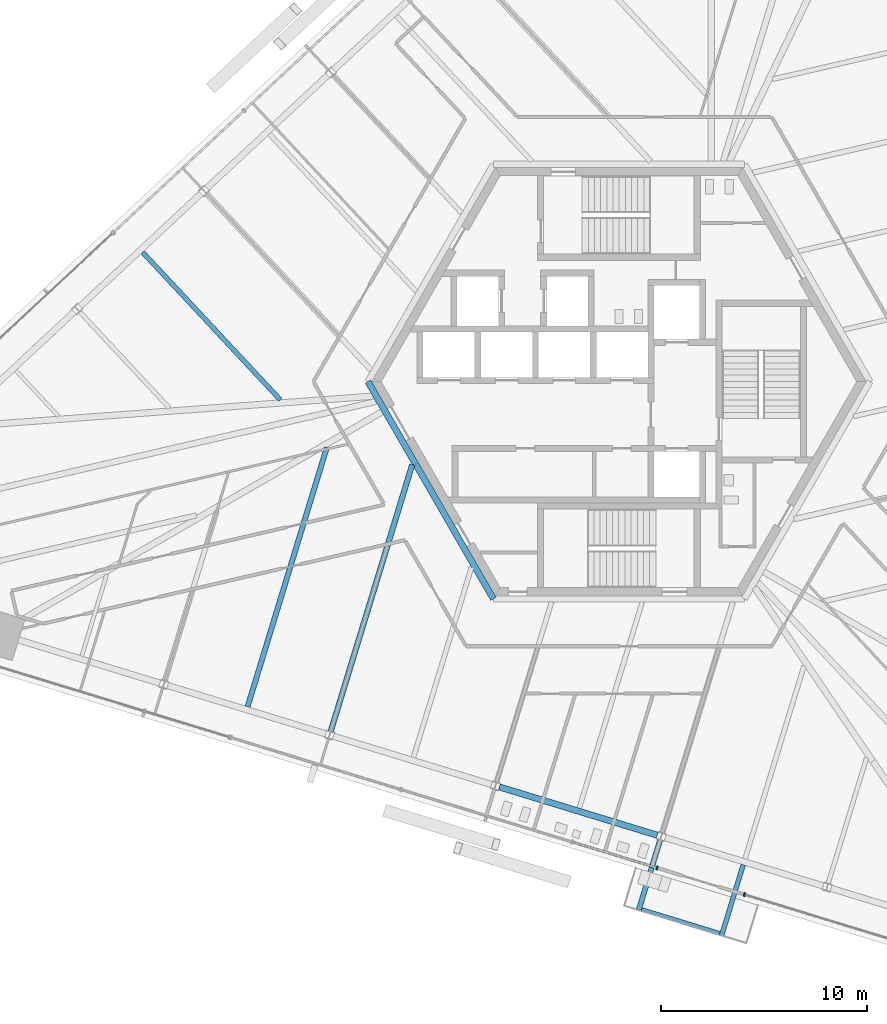
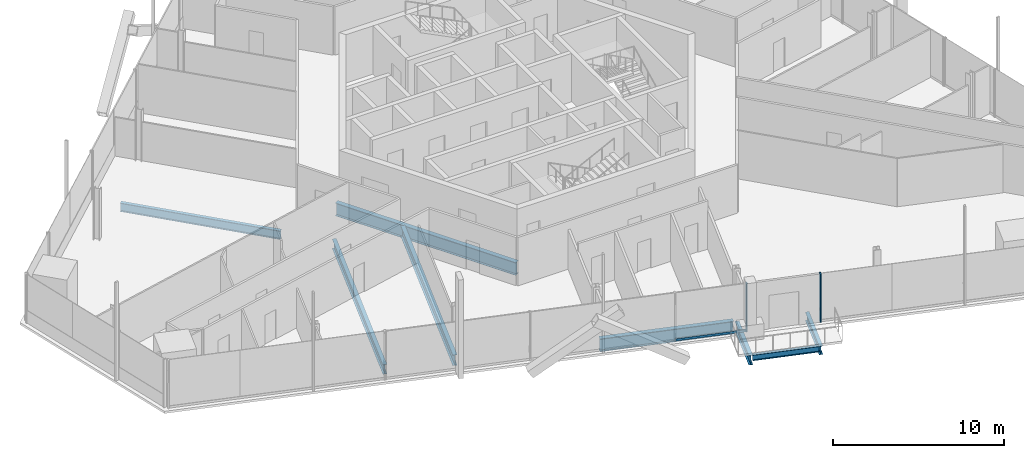
# One storey, part 5 of 24: 8 beams, 3 members, 2 elements without a shape of their own.
"""IFC4 building model written with IfcOpenShell, lengths in metres."""

from ifc_helpers import new_model, si_unit, direction, frame, origin, origin_2d, place, context, subcontext, project, spatial, rectangle, i_section, extrude, source, transform, mapped, material, material_profile, profile_set, type_object, element, aggregate, save


model = new_model("IFC4")

# Units and contexts
model_context = context("Model", 3, precision=1e-05, world=origin(), true_north=direction((0.0, 1.0)))
body_context = subcontext(model_context, "Body", "Model", "MODEL_VIEW")
ifc_project = project(units=[si_unit("LENGTHUNIT", "METRE"), si_unit("AREAUNIT", "SQUARE_METRE"), si_unit("VOLUMEUNIT", "CUBIC_METRE"), si_unit("PLANEANGLEUNIT", "RADIAN"), si_unit("MASSUNIT", "GRAM", prefix="KILO")], contexts=[model_context])

# Site, building, storey
site_placement = place(None, origin())
site = spatial("IfcSite", under=ifc_project, at=site_placement, CompositionType="ELEMENT")
building_placement = place(site_placement, origin())
building = spatial("IfcBuilding", under=site, at=building_placement, Name="Triune Harvest Tower", CompositionType="ELEMENT")
storey_placement = place(building_placement, frame((0.0, 0.0, 112.699951171875)))
storey = spatial("IfcBuildingStorey", under=building, at=storey_placement, Name="L28", CompositionType="ELEMENT", Elevation=112.699951171875)

# Beams
ifc_material_1 = material(Name="Steel ASTM A992 Gr 50", Category="steel")
ifc_material_profile_1 = material_profile(ifc_material_1, i_section(OverallWidth=0.180908203125, OverallDepth=0.41650390625, WebThickness=0.010986328125, FlangeThickness=0.01806640625, at=origin_2d()), Name="W16x57")
ifc_profile_set_1 = profile_set([ifc_material_profile_1], Name="Steel ASTM A992 Gr 50")
beam_type_1 = type_object("IfcBeamType", Name="BE-1 balcony edge beam W16x57", PredefinedType="BEAM", material=ifc_profile_set_1)
beam_1_placement = place(storey_placement, frame((1.102783203125, -25.6064453125, -0.3681640625), z_axis=(0.956313811146, -0.292342084914, 0.0), x_axis=(0.292342084914, 0.956313811146, 0.0)))
element("IfcBeam", 1, at=beam_1_placement, inside=storey, type_object=beam_type_1, Name="Balcony edge beam B3-F5 L28.9", PredefinedType="BEAM", context=body_context, shape_type="SweptSolid", body=[
    extrude(i_section(OverallWidth=0.180908203125, OverallDepth=0.41650390625, WebThickness=0.010986328125, FlangeThickness=0.01806640625, at=origin_2d()), origin(), (0.0, 0.0, 1.0), 3.966064453125),
])
ifc_material_2 = material(Name="Steel ASTM A992 Gr 50", Category="steel")
ifc_material_profile_2 = material_profile(ifc_material_2, i_section(OverallWidth=0.3046875, OverallDepth=0.914306640625, WebThickness=0.0166015625, FlangeThickness=0.02587890625, at=origin_2d()), Name="W36x160")
ifc_profile_set_2 = profile_set([ifc_material_profile_2], Name="Steel ASTM A992 Gr 50")
beam_type_2 = type_object("IfcBeamType", Name="CG-1 Core ring girder W36x160", PredefinedType="BEAM", material=ifc_profile_set_2)
shared_shape_1 = source(origin(), body_context, "Body", "SweptSolid", [
    extrude(i_section(OverallWidth=0.3046875, OverallDepth=0.914306640625, WebThickness=0.0166015625, FlangeThickness=0.02587890625, at=origin_2d()), origin(), (0.0, 0.0, 1.0), 12.176025390625),
])
beam_2_placement = place(storey_placement, frame((-12.176025390625, 0.0, -0.6171875), z_axis=(0.5000099932, -0.866019634131, 0.0), x_axis=(0.866019634131, 0.5000099932, 0.0)))
element("IfcBeam", 2, at=beam_2_placement, inside=storey, type_object=beam_type_2, Name="beam/L28/CG4", PredefinedType="BEAM", context=body_context, shape_type="MappedRepresentation", body=[
    mapped(shared_shape_1, transform((0.0, 0.0, 0.0), scale=1.0)),
])
ifc_material_3 = material(Name="Steel ASTM A992 Gr 50", Category="steel")
ifc_material_profile_3 = material_profile(ifc_material_3, i_section(OverallWidth=0.3046875, OverallDepth=0.914306640625, WebThickness=0.0166015625, FlangeThickness=0.02587890625, at=origin_2d()), Name="W36x160")
ifc_profile_set_3 = profile_set([ifc_material_profile_3], Name="Steel ASTM A992 Gr 50")
beam_type_3 = type_object("IfcBeamType", Name="SB-1 Spandrel beam W36x160", PredefinedType="SPANDREL", material=ifc_profile_set_3)
shared_shape_2 = source(origin(), body_context, "Body", "SweptSolid", [
    extrude(i_section(OverallWidth=0.3046875, OverallDepth=0.914306640625, WebThickness=0.0166015625, FlangeThickness=0.02587890625, at=origin_2d()), origin(), (0.0, 0.0, 1.0), 8.018310546875),
])
beam_3_placement = place(storey_placement, frame((-5.805908203125, -19.66748046875, -0.6171875), z_axis=(0.956308069579, -0.292360866152, 0.0), x_axis=(0.292360866152, 0.956308069579, 0.0)))
element("IfcBeam", 3, at=beam_3_placement, inside=storey, type_object=beam_type_3, Name="beam/L28/SB20", PredefinedType="SPANDREL", context=body_context, shape_type="MappedRepresentation", body=[
    mapped(shared_shape_2, transform((0.0, 0.0, 0.0), scale=1.0)),
])
ifc_material_4 = material(Name="Steel ASTM A992 Gr 50", Category="steel")
ifc_material_profile_4 = material_profile(ifc_material_4, i_section(OverallWidth=0.22900390625, OverallDepth=0.612060546875, WebThickness=0.011962890625, FlangeThickness=0.01953125, at=origin_2d()), Name="W24x84")
ifc_profile_set_4 = profile_set([ifc_material_profile_4], Name="Steel ASTM A992 Gr 50")
beam_type_4 = type_object("IfcBeamType", Name="JT-3 Floor joist W24x84", PredefinedType="JOIST", material=ifc_profile_set_4)
shared_shape_3 = source(origin(), body_context, "Body", "SweptSolid", [
    extrude(i_section(OverallWidth=0.22900390625, OverallDepth=0.612060546875, WebThickness=0.011962890625, FlangeThickness=0.01953125, at=origin_2d()), origin(), (0.0, 0.0, 1.0), 9.790283203125),
])
beam_4_placement = place(storey_placement, frame((-23.11181640625, 6.27734375, -0.466064453125), z_axis=(0.682000995077, -0.731351244419, 0.0), x_axis=(0.731351244419, 0.682000995077, 0.0)))
element("IfcBeam", 4, at=beam_4_placement, inside=storey, type_object=beam_type_4, Name="beam/L28/JT22", PredefinedType="JOIST", context=body_context, shape_type="MappedRepresentation", body=[
    mapped(shared_shape_3, transform((0.0, 0.0, 0.0), scale=1.0)),
])
ifc_material_5 = material(Name="Steel ASTM A992 Gr 50", Category="steel")
ifc_material_profile_5 = material_profile(ifc_material_5, i_section(OverallWidth=0.253662109375, OverallDepth=0.683349609375, WebThickness=0.012451171875, FlangeThickness=0.01904296875, at=origin_2d()), Name="W27x94")
ifc_profile_set_5 = profile_set([ifc_material_profile_5], Name="Steel ASTM A992 Gr 50")
beam_type_5 = type_object("IfcBeamType", Name="JT-4 Floor joist W27x94", PredefinedType="JOIST", material=ifc_profile_set_5)
shared_shape_4 = source(origin(), body_context, "Body", "SweptSolid", [
    extrude(i_section(OverallWidth=0.253662109375, OverallDepth=0.683349609375, WebThickness=0.012451171875, FlangeThickness=0.01904296875, at=origin_2d()), origin(), (0.0, 0.0, 1.0), 13.157470703125),
])
beam_5_placement = place(storey_placement, frame((-18.02099609375, -15.773681640625, -0.50146484375), z_axis=(0.292375983311, 0.956303447857, 0.0), x_axis=(-0.956303447857, 0.292375983311, 0.0)))
element("IfcBeam", 5, at=beam_5_placement, inside=storey, type_object=beam_type_5, Name="beam/L28/JT29", PredefinedType="JOIST", context=body_context, shape_type="MappedRepresentation", body=[
    mapped(shared_shape_4, transform((0.0, 0.0, 0.0), scale=1.0)),
])
ifc_material_6 = material(Name="Steel ASTM A992 Gr 50", Category="steel")
ifc_material_profile_6 = material_profile(ifc_material_6, i_section(OverallWidth=0.2666015625, OverallDepth=0.7568359375, WebThickness=0.013916015625, FlangeThickness=0.019287109375, at=origin_2d()), Name="W30x108")
ifc_profile_set_6 = profile_set([ifc_material_profile_6], Name="Steel ASTM A992 Gr 50")
beam_type_6 = type_object("IfcBeamType", Name="JT-5 Floor joist W30x108", PredefinedType="JOIST", material=ifc_profile_set_6)
shared_shape_5 = source(origin(), body_context, "Body", "SweptSolid", [
    extrude(i_section(OverallWidth=0.2666015625, OverallDepth=0.7568359375, WebThickness=0.013916015625, FlangeThickness=0.019287109375, at=origin_2d()), origin(), (0.0, 0.0, 1.0), 13.53515625),
])
beam_6_placement = place(storey_placement, frame((-13.986328125, -16.96728515625, -0.538330078125), z_axis=(0.292367922799, 0.956305912205, 0.0), x_axis=(-0.956305912205, 0.292367922799, 0.0)))
element("IfcBeam", 6, at=beam_6_placement, inside=storey, type_object=beam_type_6, Name="beam/L28/JT30", PredefinedType="JOIST", context=body_context, shape_type="MappedRepresentation", body=[
    mapped(shared_shape_5, transform((0.0, 0.0, 0.0), scale=1.0)),
])

# Curtain wall, member
ifc_material_7 = material(Name="Aluminium bronze anodised", Category="aluminium")
curtain_wall_type_1 = type_object("IfcCurtainWallType", Name="CW-10 Balcony window wall with insulated spandrel infill", PredefinedType="NOTDEFINED", material=ifc_material_7)
curtain_wall_1_placement = place(storey_placement, origin())
curtain_wall_1 = element("IfcCurtainWall", 7, at=curtain_wall_1_placement, inside=storey, type_object=curtain_wall_type_1, Name="CW-10 B3-F5 L28 run 1001")
ifc_material_8 = material(Name="Aluminium bronze anodised", Category="aluminium")
ifc_material_profile_7 = material_profile(ifc_material_8, rectangle(XDim=0.199951171875, YDim=0.074951171875, at=origin_2d()), Name="MU-6 mullion 75 x 200")
ifc_profile_set_7 = profile_set([ifc_material_profile_7], Name="Aluminium bronze anodised")
member_type_1 = type_object("IfcMemberType", Name="MU-6 mullion 75 x 200", PredefinedType="MULLION", material=ifc_profile_set_7)
shared_shape_6 = source(origin(), body_context, "Body", "SweptSolid", [
    extrude(rectangle(XDim=0.199951171875, YDim=0.074951171875, at=origin_2d()), origin(), (0.0, 0.0, 1.0), 3.43994140625),
])
member_1_placement = place(storey_placement, frame((1.85107421875, -23.596435546875, 0.0), z_axis=(0.0, 0.0, 1.0), x_axis=(0.292371984425, 0.956304670449, 0.0)))
member_1 = element("IfcMember", 8, at=member_1_placement, type_object=member_type_1, Name="CW-10 mullion B3-F5 1001.6", PredefinedType="MULLION", context=body_context, shape_type="MappedRepresentation", body=[
    mapped(shared_shape_6, transform((0.0, 0.0, 0.0), scale=1.0)),
])

ifc_material_9 = material(Name="Aluminium bronze anodised", Category="aluminium")
curtain_wall_type_2 = type_object("IfcCurtainWallType", Name="CW-6 Balcony window wall", PredefinedType="NOTDEFINED", material=ifc_material_9)
curtain_wall_2_placement = place(storey_placement, origin())
curtain_wall_2 = element("IfcCurtainWall", 9, at=curtain_wall_2_placement, inside=storey, type_object=curtain_wall_type_2, Name="CW-6 B3-F5 L28 run 2")
member_2_placement = place(storey_placement, frame((6.0859375, -24.891357421875, 0.0), z_axis=(0.0, 0.0, 1.0), x_axis=(0.292373426164, 0.956304229664, 0.0)))
member_2 = element("IfcMember", 10, at=member_2_placement, type_object=member_type_1, Name="CW-6 mullion B3-F5 2.1", PredefinedType="MULLION", context=body_context, shape_type="MappedRepresentation", body=[
    mapped(shared_shape_6, transform((0.0, 0.0, 0.0), scale=1.0)),
])
aggregate(curtain_wall_2, [member_2])

# Beams
ifc_material_10 = material(Name="Steel ASTM A992 Gr 50", Category="steel")
ifc_material_profile_8 = material_profile(ifc_material_10, i_section(OverallWidth=0.253662109375, OverallDepth=0.683349609375, WebThickness=0.012451171875, FlangeThickness=0.01904296875, at=origin_2d()), Name="W27x94")
ifc_profile_set_8 = profile_set([ifc_material_profile_8], Name="Steel ASTM A992 Gr 50")
beam_type_7 = type_object("IfcBeamType", Name="BJ-4 Balcony cantilever joist W27x94", PredefinedType="JOIST", material=ifc_profile_set_8)
shared_shape_7 = source(origin(), body_context, "Body", "SweptSolid", [
    extrude(i_section(OverallWidth=0.253662109375, OverallDepth=0.683349609375, WebThickness=0.012451171875, FlangeThickness=0.01904296875, at=origin_2d()), origin(), (0.0, 0.0, 1.0), 3.59765625),
])
beam_7_placement = place(storey_placement, frame((2.0068359375, -22.21533203125, -0.50146484375), z_axis=(-0.292349563537, -0.956311524923, 0.0), x_axis=(0.956311524923, -0.292349563537, 0.0)))
element("IfcBeam", 11, at=beam_7_placement, inside=storey, type_object=beam_type_7, Name="Balcony cantilever joist B3-F5 L28.9b", PredefinedType="JOIST", context=body_context, shape_type="MappedRepresentation", body=[
    mapped(shared_shape_7, transform((0.0, 0.0, 0.0), scale=1.0)),
])
ifc_material_11 = material(Name="Steel ASTM A992 Gr 50", Category="steel")
ifc_material_profile_9 = material_profile(ifc_material_11, i_section(OverallWidth=0.22900390625, OverallDepth=0.612060546875, WebThickness=0.011962890625, FlangeThickness=0.01953125, at=origin_2d()), Name="W24x84")
ifc_profile_set_9 = profile_set([ifc_material_profile_9], Name="Steel ASTM A992 Gr 50")
beam_type_8 = type_object("IfcBeamType", Name="BJ-3 Balcony cantilever joist W24x84", PredefinedType="JOIST", material=ifc_profile_set_9)
shared_shape_8 = source(origin(), body_context, "Body", "SweptSolid", [
    extrude(i_section(OverallWidth=0.22900390625, OverallDepth=0.612060546875, WebThickness=0.011962890625, FlangeThickness=0.01953125, at=origin_2d()), origin(), (0.0, 0.0, 1.0), 3.59765625),
])
beam_8_placement = place(storey_placement, frame((6.030517578125, -23.445556640625, -0.466064453125), z_axis=(-0.292411623657, -0.956292550609, 0.0), x_axis=(0.956292550609, -0.292411623657, 0.0)))
element("IfcBeam", 12, at=beam_8_placement, inside=storey, type_object=beam_type_8, Name="Balcony cantilever joist B3-F5 L28.9a", PredefinedType="JOIST", context=body_context, shape_type="MappedRepresentation", body=[
    mapped(shared_shape_8, transform((0.0, 0.0, 0.0), scale=1.0)),
])

# Member
ifc_material_12 = material(Name="Aluminium bronze anodised", Category="aluminium")
ifc_material_profile_10 = material_profile(ifc_material_12, rectangle(XDim=0.090087890625, YDim=0.14990234375, at=origin_2d()), Name="TR-6 transom 90 x 150")
ifc_profile_set_10 = profile_set([ifc_material_profile_10], Name="Aluminium bronze anodised")
member_type_2 = type_object("IfcMemberType", Name="TR-6 transom 90 x 150", PredefinedType="USERDEFINED", material=ifc_profile_set_10)
shared_shape_9 = source(origin(), body_context, "Body", "SweptSolid", [
    extrude(rectangle(XDim=0.090087890625, YDim=0.14990234375, at=origin_2d()), origin(), (0.0, 0.0, 1.0), 4.229736328125),
])
member_3_placement = place(storey_placement, frame((-2.2294921875, -22.348876953125, 0.074951171875), z_axis=(0.956310338551, -0.292353444276, 0.0), x_axis=(0.292353444276, 0.956310338551, 0.0)))
member_3 = element("IfcMember", 13, at=member_3_placement, type_object=member_type_2, Name="CW-10 transom B3-F5 1001.3", ObjectType="TRANSOM", PredefinedType="USERDEFINED", context=body_context, shape_type="MappedRepresentation", body=[
    mapped(shared_shape_9, transform((0.0, 0.0, 0.0), scale=1.0)),
])

aggregate(curtain_wall_1, [member_1, member_3])

save(model, "model.ifc")
